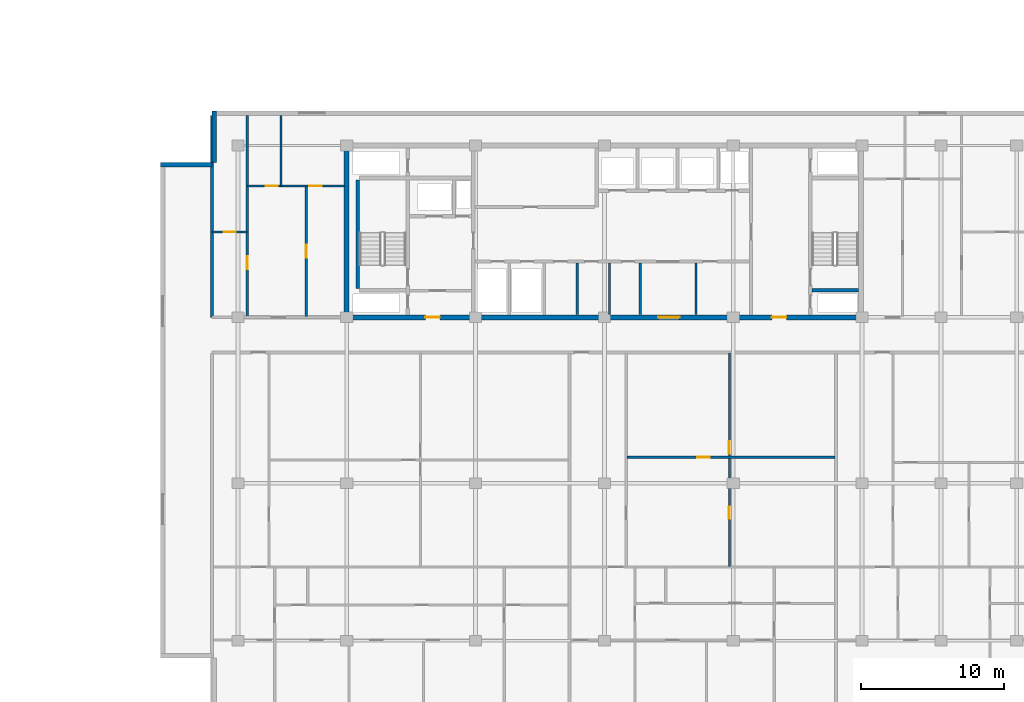
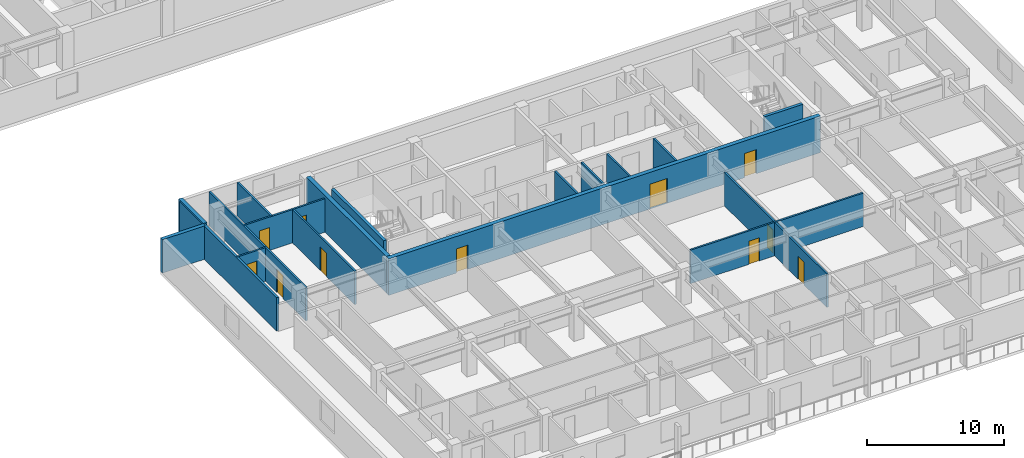
# One storey, part 6 of 22: 18 walls, 11 doors, 11 openings.
"""IFC4 building model written with IfcOpenShell, lengths in metres."""

from ifc_helpers import new_model, si_unit, direction, frame, frame_2d, origin, place, context, subcontext, project, spatial, rectangle, extrude, material, layer, layer_set, type_object, element, fill, save


model = new_model("IFC4")

# Units and contexts
model_context = context("Model", 3, precision=1e-05, world=origin(), true_north=direction((0.0, 1.0)))
body_context = subcontext(model_context, "Body", "Model", "MODEL_VIEW")
ifc_project = project(units=[si_unit("LENGTHUNIT", "METRE"), si_unit("AREAUNIT", "SQUARE_METRE"), si_unit("VOLUMEUNIT", "CUBIC_METRE"), si_unit("PLANEANGLEUNIT", "RADIAN"), si_unit("MASSUNIT", "GRAM", prefix="KILO")], contexts=[model_context])

# Site, building, storey
site_placement = place(None, origin())
site = spatial("IfcSite", under=ifc_project, at=site_placement, CompositionType="ELEMENT")
building_placement = place(site_placement, origin())
building = spatial("IfcBuilding", under=site, at=building_placement, Name="Korimba Cascade Residences", CompositionType="ELEMENT")
storey_placement = place(building_placement, frame((0.0, 0.0, 126.300048828125)))
storey = spatial("IfcBuildingStorey", under=building, at=storey_placement, Name="L36", CompositionType="ELEMENT", Elevation=126.300048828125)

# Walls
ifc_material_1 = material(Name="Precast concrete C40/50", Category="concrete")
ifc_layer_1 = layer(ifc_material_1, 0.300048828125)
ifc_layer_set_1 = layer_set([ifc_layer_1], Name="Precast concrete C40/50")
wall_type_1 = type_object("IfcWallType", Name="EW-STONE-300", PredefinedType="STANDARD", material=ifc_layer_set_1)
wall_1_placement = place(storey_placement, frame((72.85009765625, 32.800048828125, 0.0), z_axis=(0.0, 0.0, 1.0), x_axis=(0.0, -1.0, 0.0)))
element("IfcWall", 1, at=wall_1_placement, inside=storey, type_object=wall_type_1, Name="L36 T2 Perimeter Stone Wall E07", PredefinedType="STANDARD", context=body_context, shape_type="SweptSolid", body=[
    extrude(rectangle(XDim=3.60009765625, YDim=0.300048828125, at=frame_2d((1.800048828125, 0.0))), origin(), (0.0, 0.0, 1.0), 2.969970703125),
])
wall_2_placement = place(storey_placement, frame((72.699951171875, 29.050048828125, 0.0), z_axis=(0.0, 0.0, 1.0), x_axis=(-1.0, 0.0, 0.0)))
element("IfcWall", 2, at=wall_2_placement, inside=storey, type_object=wall_type_1, Name="L36 T2 Perimeter Stone Wall E08", PredefinedType="STANDARD", context=body_context, shape_type="SweptSolid", body=[
    extrude(rectangle(XDim=3.599853515625, YDim=0.300048828125, at=frame_2d((1.7998046875, 0.0))), origin(), (0.0, 0.0, 1.0), 2.969970703125),
])
ifc_material_2 = material(Name="Concrete C65/80", Category="concrete")
ifc_layer_2 = layer(ifc_material_2, 0.35009765625)
ifc_layer_set_2 = layer_set([ifc_layer_2], Name="Concrete C65/80")
wall_type_2 = type_object("IfcWallType", Name="WAL-CORE-350", PredefinedType="SHEAR", material=ifc_layer_set_2)
wall_3_placement = place(storey_placement, frame((82.10009765625, 18.574951171875, 0.0), z_axis=(0.0, 0.0, 1.0), x_axis=(0.0, 1.0, 0.0)))
element("IfcWall", 3, at=wall_3_placement, inside=storey, type_object=wall_type_2, Name="L36 Core Shear Wall CW-L36-T2-W", PredefinedType="SHEAR", context=body_context, shape_type="SweptSolid", body=[
    extrude(rectangle(XDim=11.650146484375, YDim=0.35009765625, at=frame_2d((5.8251953125, 0.0))), origin(), (0.0, 0.0, 1.0), 3.25),
])

# Wall, openings, doors
wall_4_placement = place(storey_placement, frame((81.925048828125, 18.39990234375, 0.0), z_axis=(0.0, 0.0, 1.0), x_axis=(1.0, 0.0, 0.0)))
wall_4 = element("IfcWall", 4, at=wall_4_placement, inside=storey, type_object=wall_type_2, Name="L36 Core Shear Wall CW-L36-T2-S", PredefinedType="SHEAR", context=body_context, shape_type="SweptSolid", body=[
    extrude(rectangle(XDim=36.264892578125, YDim=0.35009765625, at=frame_2d((18.13232421875, 0.0))), origin(), (0.0, 0.0, 1.0), 3.25),
])
opening_1_placement = place(wall_4_placement, frame((5.675048828125, 0.0, 0.0)))
opening_1 = element("IfcOpeningElement", 5, at=opening_1_placement, cuts=wall_4, Name="Opening D-FD5", PredefinedType="OPENING", context=body_context, shape_type="SweptSolid", body=[
    extrude(rectangle(XDim=1.0, YDim=2.14990234375, at=frame_2d((0.5, 1.074951171875))), frame((0.0, 0.18505859375, 0.0), z_axis=(0.0, -1.0, 0.0), x_axis=(1.0, 0.0, 0.0)), (0.0, 0.0, 1.0), 0.3701171875),
])
opening_2_placement = place(wall_4_placement, frame((21.925048828125, 0.0, 0.0)))
opening_2 = element("IfcOpeningElement", 6, at=opening_2_placement, cuts=wall_4, Name="Opening D-FD8", PredefinedType="OPENING", context=body_context, shape_type="SweptSolid", body=[
    extrude(rectangle(XDim=1.5, YDim=2.199951171875, at=frame_2d((0.75, 1.10009765625))), frame((0.0, 0.18505859375, 0.0), z_axis=(0.0, -1.0, 0.0), x_axis=(1.0, 0.0, 0.0)), (0.0, 0.0, 1.0), 0.3701171875),
])
opening_3_placement = place(wall_4_placement, frame((29.875, 0.0, 0.0)))
opening_3 = element("IfcOpeningElement", 7, at=opening_3_placement, cuts=wall_4, Name="Opening D-FD5", PredefinedType="OPENING", context=body_context, shape_type="SweptSolid", body=[
    extrude(rectangle(XDim=1.0, YDim=2.14990234375, at=frame_2d((0.5, 1.074951171875))), frame((0.0, 0.18505859375, 0.0), z_axis=(0.0, -1.0, 0.0), x_axis=(1.0, 0.0, 0.0)), (0.0, 0.0, 1.0), 0.3701171875),
])
ifc_material_3 = material(Name="Fire-Rated Acoustic Timber Vestibule Door", Category="wood")
door_type_1 = type_object("IfcDoorType", Name="DR-FD90-1000", OperationType="NOTDEFINED", PredefinedType="DOOR", material=ifc_material_3)
door_1_placement = place(opening_1_placement, origin())
door_1 = element("IfcDoor", 8, at=door_1_placement, inside=storey, type_object=door_type_1, Name="L36 T2 West Core Vestibule Fire Door", OperationType="SINGLE_SWING_LEFT", OverallHeight=2.14990234375, OverallWidth=1.0, PredefinedType="DOOR", context=body_context, shape_type="SweptSolid", body=[
    extrude(rectangle(XDim=1.0, YDim=2.14990234375, at=frame_2d((0.5, 1.074951171875))), frame((0.0, 0.02490234375, 0.0), z_axis=(0.0, -1.0, 0.0), x_axis=(1.0, 0.0, 0.0)), (0.0, 0.0, 1.0), 0.050048828125),
])
fill(opening_1, door_1)
door_2_placement = place(opening_3_placement, origin())
door_2 = element("IfcDoor", 9, at=door_2_placement, inside=storey, type_object=door_type_1, Name="L36 T2 East Stair Vestibule Fire Door", OperationType="SINGLE_SWING_RIGHT", OverallHeight=2.14990234375, OverallWidth=1.0, PredefinedType="DOOR", context=body_context, shape_type="SweptSolid", body=[
    extrude(rectangle(XDim=1.0, YDim=2.14990234375, at=frame_2d((0.5, 1.074951171875))), frame((0.0, 0.02490234375, 0.0), z_axis=(0.0, -1.0, 0.0), x_axis=(1.0, 0.0, 0.0)), (0.0, 0.0, 1.0), 0.050048828125),
])
fill(opening_3, door_2)
ifc_material_4 = material(Name="Fire-Rated Glazed Lift Lobby Double Door", Category="glass")
door_type_2 = type_object("IfcDoorType", Name="DR-FD90-1500", OperationType="NOTDEFINED", PredefinedType="DOOR", material=ifc_material_4)
door_3_placement = place(opening_2_placement, origin())
door_3 = element("IfcDoor", 10, at=door_3_placement, inside=storey, type_object=door_type_2, Name="L36 T2 Lift Lobby Fire Door", OperationType="DOUBLE_DOOR_SINGLE_SWING", OverallHeight=2.199951171875, OverallWidth=1.5, PredefinedType="DOOR", context=body_context, shape_type="SweptSolid", body=[
    extrude(rectangle(XDim=1.5, YDim=2.199951171875, at=frame_2d((0.75, 1.10009765625))), frame((0.0, 0.02490234375, 0.0), z_axis=(0.0, -1.0, 0.0), x_axis=(1.0, 0.0, 0.0)), (0.0, 0.0, 1.0), 0.050048828125),
])
fill(opening_2, door_3)

# Walls
ifc_layer_3 = layer(ifc_material_1, 0.199951171875)
ifc_layer_set_3 = layer_set([ifc_layer_3], Name="Precast concrete C40/50")
wall_type_3 = type_object("IfcWallType", Name="WAL-IT-200", PredefinedType="PARTITIONING", material=ifc_layer_set_3)
wall_5_placement = place(storey_placement, frame((72.699951171875, 18.39990234375, 0.0), z_axis=(0.0, 0.0, 1.0), x_axis=(0.0, 1.0, 0.0)))
element("IfcWall", 11, at=wall_5_placement, inside=storey, type_object=wall_type_3, Name="L36 Partition Wall WAL-L36-T2-FW-WL", PredefinedType="PARTITIONING", context=body_context, shape_type="SweptSolid", body=[
    extrude(rectangle(XDim=14.10009765625, YDim=0.199951171875, at=frame_2d((7.050048828125, 0.0))), origin(), (0.0, 0.0, 1.0), 2.969970703125),
])
ifc_material_5 = material(Name="Insulated Acoustic Stud Partition", Category="gypsum")
ifc_layer_4 = layer(ifc_material_5, 0.14990234375)
ifc_layer_set_4 = layer_set([ifc_layer_4], Name="Insulated Acoustic Stud Partition")
wall_type_4 = type_object("IfcWallType", Name="WAL-PART-150", PredefinedType="PARTITIONING", material=ifc_layer_set_4)
for number, where, z_axis, x_axis, name in (
    (12, (98.199951171875, 18.60009765625, 0.0), (0.0, 0.0, 1.0), (0.0, 1.0, 0.0), "L36 Partition Wall CW-L36-T2-CA1W1"),
    (13, (100.449951171875, 18.60009765625, 0.0), (0.0, 0.0, 1.0), (0.0, 1.0, 0.0), "L36 Partition Wall CW-L36-T2-CA1W2"),
    (14, (102.60009765625, 18.60009765625, 0.0), (0.0, 0.0, 1.0), (0.0, 1.0, 0.0), "L36 Partition Wall CW-L36-T2-THW"),
    (15, (106.5, 18.60009765625, 0.0), (0.0, 0.0, 1.0), (0.0, 1.0, 0.0), "L36 Partition Wall CW-L36-T2-THE"),
):
    element("IfcWall", number, at=place(storey_placement, frame(where, z_axis=z_axis, x_axis=x_axis)), inside=storey, type_object=wall_type_4, Name=name, PredefinedType="PARTITIONING", context=body_context, shape_type="SweptSolid", body=[
        extrude(rectangle(XDim=3.599853515625, YDim=0.14990234375, at=frame_2d((1.7998046875, 0.0))), origin(), (0.0, 0.0, 1.0), 2.969970703125),
    ])

# Wall, opening, door
wall_6_placement = place(storey_placement, frame((72.699951171875, 24.35009765625, 0.0), z_axis=(0.0, 0.0, 1.0), x_axis=(1.0, 0.0, 0.0)))
wall_6 = element("IfcWall", 16, at=wall_6_placement, inside=storey, type_object=wall_type_4, Name="L36 Partition Wall WAL-L36-T2-FW-STH", PredefinedType="PARTITIONING", context=body_context, shape_type="SweptSolid", body=[
    extrude(rectangle(XDim=2.449951171875, YDim=0.14990234375, at=frame_2d((1.22509765625, 0.0))), origin(), (0.0, 0.0, 1.0), 2.969970703125),
])
opening_4_placement = place(wall_6_placement, frame((0.804931640625, 0.0, 0.0)))
opening_4 = element("IfcOpeningElement", 17, at=opening_4_placement, cuts=wall_6, Name="Opening D-BT1", PredefinedType="OPENING", context=body_context, shape_type="SweptSolid", body=[
    extrude(rectangle(XDim=0.840087890625, YDim=2.0400390625, at=frame_2d((0.419921875, 1.02001953125))), frame((0.0, 0.0849609375, 0.0), z_axis=(0.0, -1.0, 0.0), x_axis=(1.0, 0.0, 0.0)), (0.0, 0.0, 1.0), 0.169921875),
])
ifc_material_6 = material(Name="Moisture-Resistant Bathroom Timber Door", Category="wood")
door_type_3 = type_object("IfcDoorType", Name="DR-INT-850", OperationType="NOTDEFINED", PredefinedType="DOOR", material=ifc_material_6)
door_4_placement = place(opening_4_placement, origin())
door_4 = element("IfcDoor", 18, at=door_4_placement, inside=storey, type_object=door_type_3, Name="L36-T2-FW Dressing Store Door", OperationType="SINGLE_SWING_LEFT", OverallHeight=2.0400390625, OverallWidth=0.840087890625, PredefinedType="DOOR", context=body_context, shape_type="SweptSolid", body=[
    extrude(rectangle(XDim=0.840087890625, YDim=2.0400390625, at=frame_2d((0.419921875, 1.02001953125))), frame((0.0, 0.02490234375, 0.0), z_axis=(0.0, -1.0, 0.0), x_axis=(1.0, 0.0, 0.0)), (0.0, 0.0, 1.0), 0.050048828125),
])
fill(opening_4, door_4)

wall_7_placement = place(storey_placement, frame((75.14990234375, 18.449951171875, 0.0), z_axis=(0.0, 0.0, 1.0), x_axis=(0.0, 1.0, 0.0)))
wall_7 = element("IfcWall", 19, at=wall_7_placement, inside=storey, type_object=wall_type_4, Name="L36 Partition Wall WAL-L36-T2-FW-STV", PredefinedType="PARTITIONING", context=body_context, shape_type="SweptSolid", body=[
    extrude(rectangle(XDim=14.050048828125, YDim=0.14990234375, at=frame_2d((7.02490234375, 0.0))), origin(), (0.0, 0.0, 1.0), 2.969970703125),
])
opening_5_placement = place(wall_7_placement, frame((3.320068359375, 0.0, 0.0)))
opening_5 = element("IfcOpeningElement", 20, at=opening_5_placement, cuts=wall_7, Name="Opening D-IN2", PredefinedType="OPENING", context=body_context, shape_type="SweptSolid", body=[
    extrude(rectangle(XDim=0.8798828125, YDim=2.06005859375, at=frame_2d((0.43994140625, 1.030029296875))), frame((0.0, 0.0849609375, 0.0), z_axis=(0.0, -1.0, 0.0), x_axis=(1.0, 0.0, 0.0)), (0.0, 0.0, 1.0), 0.169921875),
])
ifc_material_7 = material(Name="Acoustic Timber Bedroom Door", Category="wood")
door_type_4 = type_object("IfcDoorType", Name="DR-INT-880", OperationType="NOTDEFINED", PredefinedType="DOOR", material=ifc_material_7)
door_5_placement = place(opening_5_placement, origin())
door_5 = element("IfcDoor", 21, at=door_5_placement, inside=storey, type_object=door_type_4, Name="L36-T2-FW Study Door", OperationType="SINGLE_SWING_RIGHT", OverallHeight=2.06005859375, OverallWidth=0.8798828125, PredefinedType="DOOR", context=body_context, shape_type="SweptSolid", body=[
    extrude(rectangle(XDim=0.8798828125, YDim=2.06005859375, at=frame_2d((0.43994140625, 1.030029296875))), frame((0.0, 0.02490234375, 0.0), z_axis=(0.0, -1.0, 0.0), x_axis=(1.0, 0.0, 0.0)), (0.0, 0.0, 1.0), 0.050048828125),
])
fill(opening_5, door_5)

wall_8_placement = place(storey_placement, frame((79.27001953125, 18.449951171875, 0.0), z_axis=(0.0, 0.0, 1.0), x_axis=(0.0, 1.0, 0.0)))
wall_8 = element("IfcWall", 22, at=wall_8_placement, inside=storey, type_object=wall_type_4, Name="L36 Partition Wall WAL-L36-T2-FW-VS", PredefinedType="PARTITIONING", context=body_context, shape_type="SweptSolid", body=[
    extrude(rectangle(XDim=9.1201171875, YDim=0.14990234375, at=frame_2d((4.56005859375, 0.0))), origin(), (0.0, 0.0, 1.0), 2.969970703125),
])
opening_6_placement = place(wall_8_placement, frame((4.10009765625, 0.0, 0.0)))
opening_6 = element("IfcOpeningElement", 23, at=opening_6_placement, cuts=wall_8, Name="Opening D-IN1", PredefinedType="OPENING", context=body_context, shape_type="SweptSolid", body=[
    extrude(rectangle(XDim=0.919921875, YDim=2.080078125, at=frame_2d((0.4599609375, 1.0400390625))), frame((0.0, 0.0849609375, 0.0), z_axis=(0.0, -1.0, 0.0), x_axis=(1.0, 0.0, 0.0)), (0.0, 0.0, 1.0), 0.169921875),
])
ifc_material_8 = material(Name="Acoustic Timber Living Door", Category="wood")
door_type_5 = type_object("IfcDoorType", Name="DR-INT-920", OperationType="NOTDEFINED", PredefinedType="DOOR", material=ifc_material_8)
door_6_placement = place(opening_6_placement, origin())
door_6 = element("IfcDoor", 24, at=door_6_placement, inside=storey, type_object=door_type_5, Name="L36-T2-FW Living Door", OperationType="SINGLE_SWING_LEFT", OverallHeight=2.080078125, OverallWidth=0.919921875, PredefinedType="DOOR", context=body_context, shape_type="SweptSolid", body=[
    extrude(rectangle(XDim=0.919921875, YDim=2.080078125, at=frame_2d((0.4599609375, 1.0400390625))), frame((0.0, 0.02490234375, 0.0), z_axis=(0.0, -1.0, 0.0), x_axis=(1.0, 0.0, 0.0)), (0.0, 0.0, 1.0), 0.050048828125),
])
fill(opening_6, door_6)

# Wall
wall_9_placement = place(storey_placement, frame((77.5, 27.570068359375, 0.0), z_axis=(0.0, 0.0, 1.0), x_axis=(0.0, 1.0, 0.0)))
element("IfcWall", 25, at=wall_9_placement, inside=storey, type_object=wall_type_4, Name="L36 Partition Wall WAL-L36-T2-FW-VN", PredefinedType="PARTITIONING", context=body_context, shape_type="SweptSolid", body=[
    extrude(rectangle(XDim=4.929931640625, YDim=0.14990234375, at=frame_2d((2.46484375, 0.0))), origin(), (0.0, 0.0, 1.0), 2.969970703125),
])

# Wall, openings, doors
wall_10_placement = place(storey_placement, frame((75.169921875, 27.570068359375, 0.0), z_axis=(0.0, 0.0, 1.0), x_axis=(1.0, 0.0, 0.0)))
wall_10 = element("IfcWall", 26, at=wall_10_placement, inside=storey, type_object=wall_type_4, Name="L36 Partition Wall WAL-L36-T2-FW-H", PredefinedType="PARTITIONING", context=body_context, shape_type="SweptSolid", body=[
    extrude(rectangle(XDim=6.760009765625, YDim=0.14990234375, at=frame_2d((3.3798828125, 0.0))), origin(), (0.0, 0.0, 1.0), 2.969970703125),
])
opening_7_placement = place(wall_10_placement, frame((1.266357421875, 0.0, 0.0)))
opening_7 = element("IfcOpeningElement", 27, at=opening_7_placement, cuts=wall_10, Name="Opening D-BT1", PredefinedType="OPENING", context=body_context, shape_type="SweptSolid", body=[
    extrude(rectangle(XDim=0.840087890625, YDim=2.0400390625, at=frame_2d((0.419921875, 1.02001953125))), frame((0.0, 0.0849609375, 0.0), z_axis=(0.0, -1.0, 0.0), x_axis=(1.0, 0.0, 0.0)), (0.0, 0.0, 1.0), 0.169921875),
])
opening_8_placement = place(wall_10_placement, frame((4.320068359375, 0.0, 0.0)))
opening_8 = element("IfcOpeningElement", 28, at=opening_8_placement, cuts=wall_10, Name="Opening D-IN2", PredefinedType="OPENING", context=body_context, shape_type="SweptSolid", body=[
    extrude(rectangle(XDim=0.8798828125, YDim=2.06005859375, at=frame_2d((0.43994140625, 1.030029296875))), frame((0.0, 0.0849609375, 0.0), z_axis=(0.0, -1.0, 0.0), x_axis=(1.0, 0.0, 0.0)), (0.0, 0.0, 1.0), 0.169921875),
])
door_7_placement = place(opening_7_placement, origin())
door_7 = element("IfcDoor", 29, at=door_7_placement, inside=storey, type_object=door_type_3, Name="L36-T2-FW Bathroom Door", OperationType="SINGLE_SWING_RIGHT", OverallHeight=2.0400390625, OverallWidth=0.840087890625, PredefinedType="DOOR", context=body_context, shape_type="SweptSolid", body=[
    extrude(rectangle(XDim=0.840087890625, YDim=2.0400390625, at=frame_2d((0.419921875, 1.02001953125))), frame((0.0, 0.02490234375, 0.0), z_axis=(0.0, -1.0, 0.0), x_axis=(1.0, 0.0, 0.0)), (0.0, 0.0, 1.0), 0.050048828125),
])
fill(opening_7, door_7)
door_8_placement = place(opening_8_placement, origin())
door_8 = element("IfcDoor", 30, at=door_8_placement, inside=storey, type_object=door_type_4, Name="L36-T2-FW Bedroom Door", OperationType="SINGLE_SWING_LEFT", OverallHeight=2.06005859375, OverallWidth=0.8798828125, PredefinedType="DOOR", context=body_context, shape_type="SweptSolid", body=[
    extrude(rectangle(XDim=0.8798828125, YDim=2.06005859375, at=frame_2d((0.43994140625, 1.030029296875))), frame((0.0, 0.02490234375, 0.0), z_axis=(0.0, -1.0, 0.0), x_axis=(1.0, 0.0, 0.0)), (0.0, 0.0, 1.0), 0.050048828125),
])
fill(opening_8, door_8)

wall_11_placement = place(storey_placement, frame((108.825439453125, 0.989990234375, 0.0), z_axis=(0.0, 0.0, 1.0), x_axis=(0.0, 1.0, 0.0)))
wall_11 = element("IfcWall", 31, at=wall_11_placement, inside=storey, type_object=wall_type_4, Name="L36 Partition Wall WAL-L36-T2-U02-FMV", PredefinedType="PARTITIONING", context=body_context, shape_type="SweptSolid", body=[
    extrude(rectangle(XDim=14.89990234375, YDim=0.14990234375, at=frame_2d((7.449951171875, 0.0))), origin(), (0.0, 0.0, 1.0), 2.969970703125),
])
opening_9_placement = place(wall_11_placement, frame((3.3212890625, 0.0, 0.0)))
opening_9 = element("IfcOpeningElement", 32, at=opening_9_placement, cuts=wall_11, Name="Opening D-BT1", PredefinedType="OPENING", context=body_context, shape_type="SweptSolid", body=[
    extrude(rectangle(XDim=0.840087890625, YDim=2.0400390625, at=frame_2d((0.419921875, 1.02001953125))), frame((0.0, 0.0849609375, 0.0), z_axis=(0.0, -1.0, 0.0), x_axis=(1.0, 0.0, 0.0)), (0.0, 0.0, 1.0), 0.169921875),
])
opening_10_placement = place(wall_11_placement, frame((7.8798828125, 0.0, 0.0)))
opening_10 = element("IfcOpeningElement", 33, at=opening_10_placement, cuts=wall_11, Name="Opening D-IN2", PredefinedType="OPENING", context=body_context, shape_type="SweptSolid", body=[
    extrude(rectangle(XDim=0.8798828125, YDim=2.06005859375, at=frame_2d((0.43994140625, 1.030029296875))), frame((0.0, 0.0849609375, 0.0), z_axis=(0.0, -1.0, 0.0), x_axis=(1.0, 0.0, 0.0)), (0.0, 0.0, 1.0), 0.169921875),
])
door_9_placement = place(opening_9_placement, origin())
door_9 = element("IfcDoor", 34, at=door_9_placement, inside=storey, type_object=door_type_3, Name="L36-T2-U02 Wardrobe Door", OperationType="SINGLE_SWING_LEFT", OverallHeight=2.0400390625, OverallWidth=0.840087890625, PredefinedType="DOOR", context=body_context, shape_type="SweptSolid", body=[
    extrude(rectangle(XDim=0.840087890625, YDim=2.0400390625, at=frame_2d((0.419921875, 1.02001953125))), frame((0.0, 0.02490234375, 0.0), z_axis=(0.0, -1.0, 0.0), x_axis=(1.0, 0.0, 0.0)), (0.0, 0.0, 1.0), 0.050048828125),
])
fill(opening_9, door_9)
door_10_placement = place(opening_10_placement, origin())
door_10 = element("IfcDoor", 35, at=door_10_placement, inside=storey, type_object=door_type_4, Name="L36-T2-U02 Music Lounge Door", OperationType="SINGLE_SWING_RIGHT", OverallHeight=2.06005859375, OverallWidth=0.8798828125, PredefinedType="DOOR", context=body_context, shape_type="SweptSolid", body=[
    extrude(rectangle(XDim=0.8798828125, YDim=2.06005859375, at=frame_2d((0.43994140625, 1.030029296875))), frame((0.0, 0.02490234375, 0.0), z_axis=(0.0, -1.0, 0.0), x_axis=(1.0, 0.0, 0.0)), (0.0, 0.0, 1.0), 0.050048828125),
])
fill(opening_10, door_10)

# Wall, opening, door
wall_12_placement = place(storey_placement, frame((101.6845703125, 8.6201171875, 0.0), z_axis=(0.0, 0.0, 1.0), x_axis=(1.0, 0.0, 0.0)))
wall_12 = element("IfcWall", 36, at=wall_12_placement, inside=storey, type_object=wall_type_4, Name="L36 Partition Wall WAL-L36-T2-U02-FMH", PredefinedType="PARTITIONING", context=body_context, shape_type="SweptSolid", body=[
    extrude(rectangle(XDim=14.521728515625, YDim=0.14990234375, at=frame_2d((7.2607421875, 0.0))), origin(), (0.0, 0.0, 1.0), 2.969970703125),
])
opening_11_placement = place(wall_12_placement, frame((4.902587890625, 0.0, 0.0)))
opening_11 = element("IfcOpeningElement", 37, at=opening_11_placement, cuts=wall_12, Name="Opening D-IN2", PredefinedType="OPENING", context=body_context, shape_type="SweptSolid", body=[
    extrude(rectangle(XDim=0.8798828125, YDim=2.06005859375, at=frame_2d((0.43994140625, 1.030029296875))), frame((0.0, 0.0849609375, 0.0), z_axis=(0.0, -1.0, 0.0), x_axis=(1.0, 0.0, 0.0)), (0.0, 0.0, 1.0), 0.169921875),
])
door_11_placement = place(opening_11_placement, origin())
door_11 = element("IfcDoor", 38, at=door_11_placement, inside=storey, type_object=door_type_4, Name="L36-T2-U02 Library Salon Door", OperationType="SINGLE_SWING_LEFT", OverallHeight=2.06005859375, OverallWidth=0.8798828125, PredefinedType="DOOR", context=body_context, shape_type="SweptSolid", body=[
    extrude(rectangle(XDim=0.8798828125, YDim=2.06005859375, at=frame_2d((0.43994140625, 1.030029296875))), frame((0.0, 0.02490234375, 0.0), z_axis=(0.0, -1.0, 0.0), x_axis=(1.0, 0.0, 0.0)), (0.0, 0.0, 1.0), 0.050048828125),
])
fill(opening_11, door_11)

# Walls
ifc_material_9 = material(Name="Concrete C50/60", Category="concrete")
ifc_layer_5 = layer(ifc_material_9, 0.25)
ifc_layer_set_5 = layer_set([ifc_layer_5], Name="Concrete C50/60")
wall_type_5 = type_object("IfcWallType", Name="WAL-SHAFT-250", PredefinedType="SHEAR", material=ifc_layer_set_5)
wall_13_placement = place(storey_placement, frame((82.875, 20.39990234375, 0.0), z_axis=(0.0, 0.0, 1.0), x_axis=(0.0, 1.0, 0.0)))
element("IfcWall", 39, at=wall_13_placement, inside=storey, type_object=wall_type_5, Name="L36 Core Shear Wall CW-L36-T2-STE1W", PredefinedType="SHEAR", context=body_context, shape_type="SweptSolid", body=[
    extrude(rectangle(XDim=7.60009765625, YDim=0.25, at=frame_2d((3.800048828125, 0.0))), origin(), (0.0, 0.0, 1.0), 3.25),
])
wall_14_placement = place(storey_placement, frame((114.60009765625, 20.27490234375, 0.0), z_axis=(0.0, 0.0, 1.0), x_axis=(1.0, 0.0, 0.0)))
element("IfcWall", 40, at=wall_14_placement, inside=storey, type_object=wall_type_5, Name="L36 Core Shear Wall CW-L36-T2-STE2S", PredefinedType="SHEAR", context=body_context, shape_type="SweptSolid", body=[
    extrude(rectangle(XDim=3.239990234375, YDim=0.25, at=frame_2d((1.6201171875, 0.0))), origin(), (0.0, 0.0, 1.0), 3.25),
])

save(model, "model.ifc")
